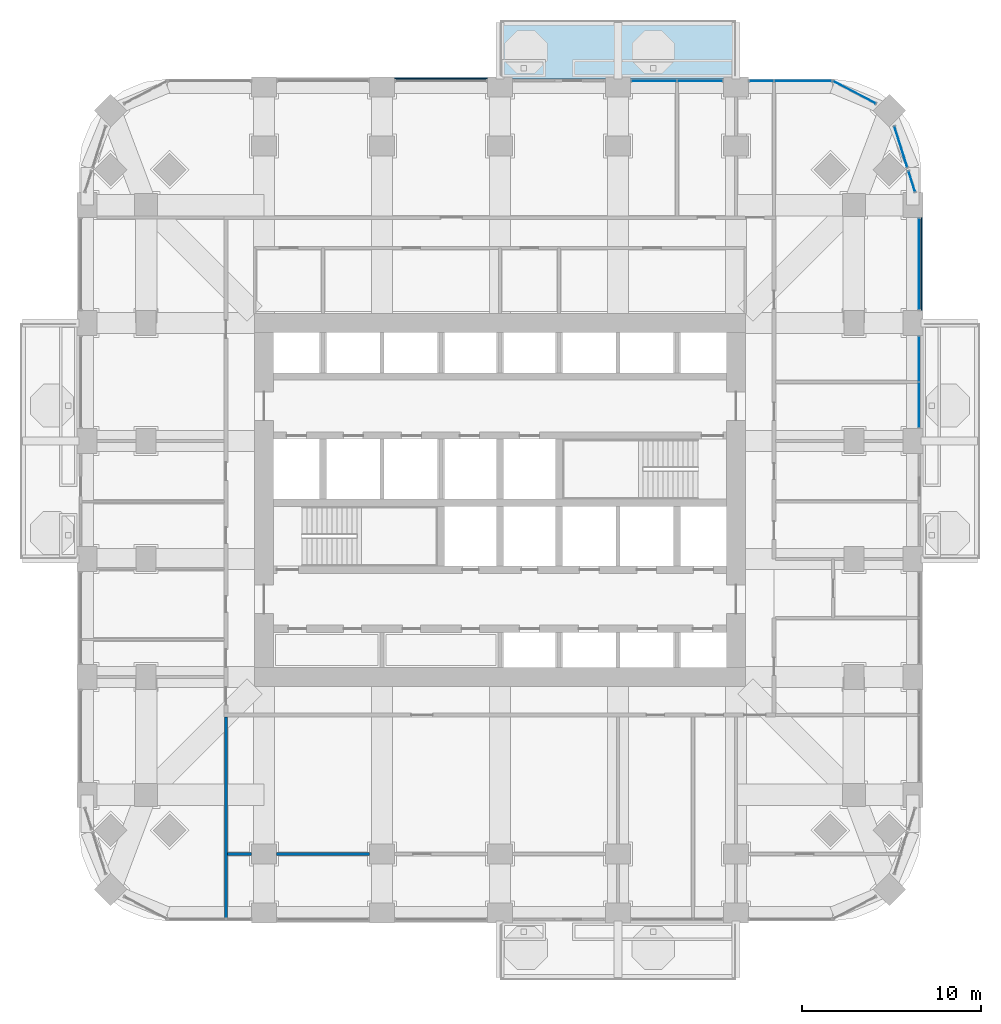
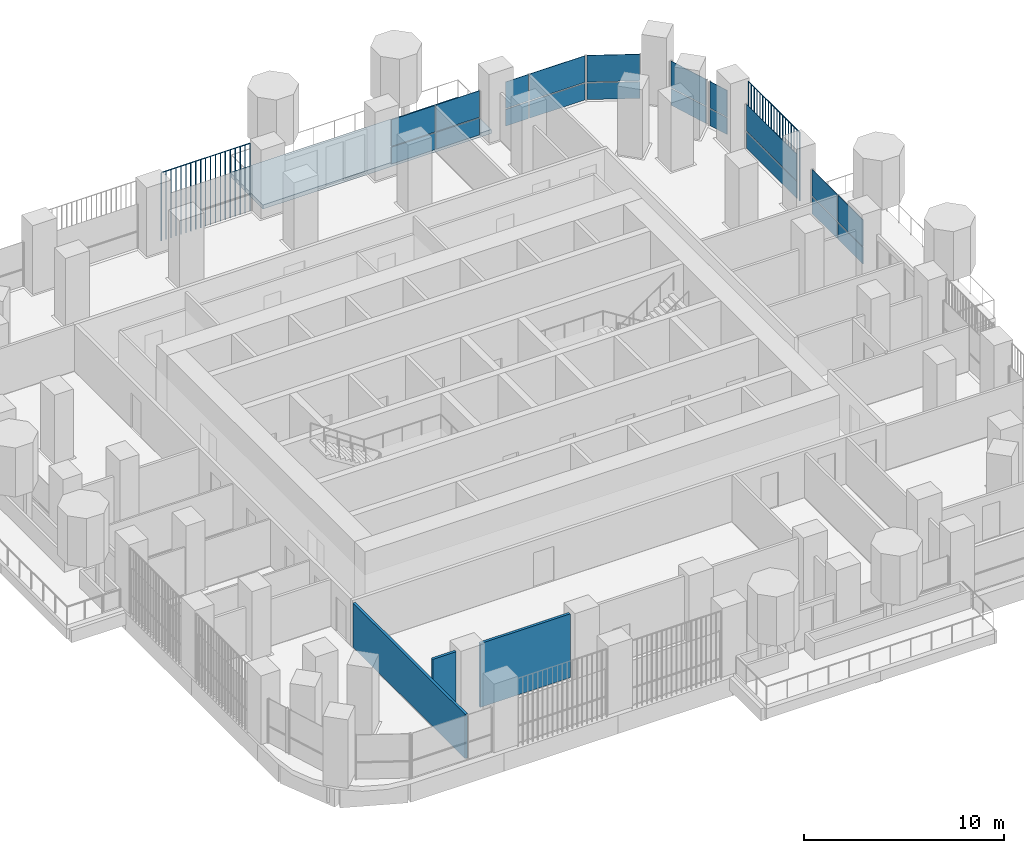
# One storey, part 13 of 22: 22 plates, 3 walls, 1 slab, 7 elements without a shape of their own.
"""IFC4 building model written with IfcOpenShell, lengths in metres."""

from ifc_helpers import new_model, si_unit, direction, frame, frame_2d, origin, origin_2d, place, context, subcontext, project, spatial, polyline, rectangle, outline, extrude, material, layer, layer_set, type_object, element, aggregate, save


model = new_model("IFC4")

# Units and contexts
model_context = context("Model", 3, precision=1e-05, world=origin(), true_north=direction((0.0, 1.0)))
body_context = subcontext(model_context, "Body", "Model", "MODEL_VIEW")
ifc_project = project(units=[si_unit("LENGTHUNIT", "METRE"), si_unit("AREAUNIT", "SQUARE_METRE"), si_unit("VOLUMEUNIT", "CUBIC_METRE"), si_unit("PLANEANGLEUNIT", "RADIAN"), si_unit("MASSUNIT", "GRAM", prefix="KILO")], contexts=[model_context])

# Site, building, storey
site_placement = place(None, origin())
site = spatial("IfcSite", under=ifc_project, at=site_placement, CompositionType="ELEMENT")
building_placement = place(site_placement, origin())
building = spatial("IfcBuilding", under=site, at=building_placement, Name="Cobogo Forest Laboratory Tower", CompositionType="ELEMENT")
storey_placement = place(building_placement, frame((0.0, 0.0, 120.0)))
storey = spatial("IfcBuildingStorey", under=building, at=storey_placement, Name="L27", CompositionType="ELEMENT", Elevation=120.0)

# Slab
ifc_material_1 = material(Name="Concrete HA-40 (C40/50)", Category="concrete")
ifc_layer_1 = layer(ifc_material_1, 0.25)
ifc_layer_set_1 = layer_set([ifc_layer_1], Name="Balcony slab 250")
slab_type = type_object("IfcSlabType", Name="Balcony slab 250", PredefinedType="FLOOR", material=ifc_layer_set_1)
slab_placement = place(storey_placement, frame((0.0, 0.0, -0.25)))
element("IfcSlab", 1, at=slab_placement, inside=storey, type_object=slab_type, Name="Balcony BAL-N1 L27", PredefinedType="FLOOR", context=body_context, shape_type="SweptSolid", body=[
    extrude(outline(polyline([(26.39990234375, 46.64990234375), (39.60009765625, 46.64990234375), (39.60009765625, 49.949951171875), (26.39990234375, 49.949951171875), (26.39990234375, 46.64990234375)])), origin(), (0.0, 0.0, 1.0), 0.25),
])

# Curtain wall, plates
ifc_material_2 = material(Name="Aluminium curtain wall", Category="aluminium")
curtain_wall_type = type_object("IfcCurtainWallType", Name="CW-1 unitised curtain wall, clear glazing, laboratory floors zones A and B", PredefinedType="USERDEFINED", material=ifc_material_2)
curtain_wall_1_placement = place(storey_placement, origin())
curtain_wall_1 = element("IfcCurtainWall", 2, at=curtain_wall_1_placement, inside=storey, type_object=curtain_wall_type, Name="Curtain wall 13 L27", ObjectType="UNITISED CURTAIN WALL", PredefinedType="USERDEFINED")
ifc_material_3 = material(Name="Clear insulated glass", Category="glass")
ifc_layer_2 = layer(ifc_material_3, 0.028076171875)
ifc_layer_set_2 = layer_set([ifc_layer_2], Name="GP-1 clear insulated glass unit 28")
plate_type_1 = type_object("IfcPlateType", Name="GP-1 clear insulated glass unit 28", PredefinedType="CURTAIN_PANEL", material=ifc_layer_set_2)
plate_1_placement = place(storey_placement, frame((49.85009765625, 28.4150390625, 0.0), z_axis=(0.0, 0.0, 1.0), x_axis=(0.0, 1.0, 0.0)))
plate_1 = element("IfcPlate", 3, at=plate_1_placement, type_object=plate_type_1, Name="CW-1 panel 1.1", PredefinedType="CURTAIN_PANEL", context=body_context, shape_type="SweptSolid", body=[
    extrude(rectangle(XDim=2.510009765625, YDim=0.028076171875, at=origin_2d()), origin(), (0.0, 0.0, 1.0), 1.02001953125),
])
plate_2_placement = place(storey_placement, frame((49.85009765625, 28.4150390625, 1.079833984375), z_axis=(0.0, 0.0, 1.0), x_axis=(0.0, 1.0, 0.0)))
plate_2 = element("IfcPlate", 4, at=plate_2_placement, type_object=plate_type_1, Name="CW-1 panel 1.2", PredefinedType="CURTAIN_PANEL", context=body_context, shape_type="SweptSolid", body=[
    extrude(rectangle(XDim=2.510009765625, YDim=0.028076171875, at=origin_2d()), origin(), (0.0, 0.0, 1.0), 1.6201171875),
])
plate_3_placement = place(storey_placement, frame((49.85009765625, 30.985107421875, 0.0), z_axis=(0.0, 0.0, 1.0), x_axis=(0.0, 1.0, 0.0)))
plate_3 = element("IfcPlate", 5, at=plate_3_placement, type_object=plate_type_1, Name="CW-1 panel 2.1", PredefinedType="CURTAIN_PANEL", context=body_context, shape_type="SweptSolid", body=[
    extrude(rectangle(XDim=2.510009765625, YDim=0.028076171875, at=origin_2d()), origin(), (0.0, 0.0, 1.0), 1.02001953125),
])
plate_4_placement = place(storey_placement, frame((49.85009765625, 30.985107421875, 1.079833984375), z_axis=(0.0, 0.0, 1.0), x_axis=(0.0, 1.0, 0.0)))
plate_4 = element("IfcPlate", 6, at=plate_4_placement, type_object=plate_type_1, Name="CW-1 panel 2.2", PredefinedType="CURTAIN_PANEL", context=body_context, shape_type="SweptSolid", body=[
    extrude(rectangle(XDim=2.510009765625, YDim=0.028076171875, at=origin_2d()), origin(), (0.0, 0.0, 1.0), 1.6201171875),
])
aggregate(curtain_wall_1, [plate_1, plate_2, plate_3, plate_4])

curtain_wall_2_placement = place(storey_placement, origin())
curtain_wall_2 = element("IfcCurtainWall", 7, at=curtain_wall_2_placement, inside=storey, type_object=curtain_wall_type, Name="Curtain wall 14 L27", ObjectType="UNITISED CURTAIN WALL", PredefinedType="USERDEFINED")
plate_5_placement = place(storey_placement, frame((49.85009765625, 36.300048828125, 0.0), z_axis=(0.0, 0.0, 1.0), x_axis=(0.0, 1.0, 0.0)))
plate_5 = element("IfcPlate", 8, at=plate_5_placement, type_object=plate_type_1, Name="CW-1 panel 1.1", PredefinedType="CURTAIN_PANEL", context=body_context, shape_type="SweptSolid", body=[
    extrude(rectangle(XDim=5.080078125, YDim=0.028076171875, at=origin_2d()), origin(), (0.0, 0.0, 1.0), 1.02001953125),
])
plate_6_placement = place(storey_placement, frame((49.85009765625, 36.300048828125, 1.079833984375), z_axis=(0.0, 0.0, 1.0), x_axis=(0.0, 1.0, 0.0)))
plate_6 = element("IfcPlate", 9, at=plate_6_placement, type_object=plate_type_1, Name="CW-1 panel 1.2", PredefinedType="CURTAIN_PANEL", context=body_context, shape_type="SweptSolid", body=[
    extrude(rectangle(XDim=5.080078125, YDim=0.028076171875, at=origin_2d()), origin(), (0.0, 0.0, 1.0), 1.6201171875),
])
aggregate(curtain_wall_2, [plate_5, plate_6])

curtain_wall_3_placement = place(storey_placement, origin())
curtain_wall_3 = element("IfcCurtainWall", 10, at=curtain_wall_3_placement, inside=storey, type_object=curtain_wall_type, Name="Curtain wall 15 L27", ObjectType="UNITISED CURTAIN WALL", PredefinedType="USERDEFINED")
plate_7_placement = place(storey_placement, frame((49.433837890625, 40.917724609375, 0.0), z_axis=(0.0, 0.0, 1.0), x_axis=(-0.301135356805, 0.953581405483, 0.0)))
plate_7 = element("IfcPlate", 11, at=plate_7_placement, type_object=plate_type_1, Name="CW-1 panel 1.1", PredefinedType="CURTAIN_PANEL", context=body_context, shape_type="SweptSolid", body=[
    extrude(rectangle(XDim=1.17578125, YDim=0.028076171875, at=origin_2d()), origin(), (0.0, 0.0, 1.0), 1.02001953125),
])
plate_8_placement = place(storey_placement, frame((49.433837890625, 40.917724609375, 1.079833984375), z_axis=(0.0, 0.0, 1.0), x_axis=(-0.301135356805, 0.953581405483, 0.0)))
plate_8 = element("IfcPlate", 12, at=plate_8_placement, type_object=plate_type_1, Name="CW-1 panel 1.2", PredefinedType="CURTAIN_PANEL", context=body_context, shape_type="SweptSolid", body=[
    extrude(rectangle(XDim=1.17578125, YDim=0.028076171875, at=origin_2d()), origin(), (0.0, 0.0, 1.0), 1.6201171875),
])
aggregate(curtain_wall_3, [plate_7, plate_8])

curtain_wall_4_placement = place(storey_placement, origin())
curtain_wall_4 = element("IfcCurtainWall", 13, at=curtain_wall_4_placement, inside=storey, type_object=curtain_wall_type, Name="Curtain wall 16 L27", ObjectType="UNITISED CURTAIN WALL", PredefinedType="USERDEFINED")
plate_9_placement = place(storey_placement, frame((48.8212890625, 42.857421875, 0.0), z_axis=(0.0, 0.0, 1.0), x_axis=(-0.301135291996, 0.953581425949, 0.0)))
plate_9 = element("IfcPlate", 14, at=plate_9_placement, type_object=plate_type_1, Name="CW-1 panel 1.1", PredefinedType="CURTAIN_PANEL", context=body_context, shape_type="SweptSolid", body=[
    extrude(rectangle(XDim=2.3681640625, YDim=0.028076171875, at=origin_2d()), origin(), (0.0, 0.0, 1.0), 1.02001953125),
])
plate_10_placement = place(storey_placement, frame((48.8212890625, 42.857421875, 1.079833984375), z_axis=(0.0, 0.0, 1.0), x_axis=(-0.301135291996, 0.953581425949, 0.0)))
plate_10 = element("IfcPlate", 15, at=plate_10_placement, type_object=plate_type_1, Name="CW-1 panel 1.2", PredefinedType="CURTAIN_PANEL", context=body_context, shape_type="SweptSolid", body=[
    extrude(rectangle(XDim=2.3681640625, YDim=0.028076171875, at=origin_2d()), origin(), (0.0, 0.0, 1.0), 1.6201171875),
])
aggregate(curtain_wall_4, [plate_9, plate_10])

curtain_wall_5_placement = place(storey_placement, origin())
curtain_wall_5 = element("IfcCurtainWall", 16, at=curtain_wall_5_placement, inside=storey, type_object=curtain_wall_type, Name="Curtain wall 17 L27", ObjectType="UNITISED CURTAIN WALL", PredefinedType="USERDEFINED")
plate_11_placement = place(storey_placement, frame((46.229248046875, 45.90576171875, 0.0), z_axis=(0.0, 0.0, 1.0), x_axis=(-0.885686547075, 0.464283685186, 0.0)))
plate_11 = element("IfcPlate", 17, at=plate_11_placement, type_object=plate_type_1, Name="CW-1 panel 1.1", PredefinedType="CURTAIN_PANEL", context=body_context, shape_type="SweptSolid", body=[
    extrude(rectangle(XDim=2.655517578125, YDim=0.028076171875, at=origin_2d()), origin(), (0.0, 0.0, 1.0), 1.02001953125),
])
plate_12_placement = place(storey_placement, frame((46.229248046875, 45.90576171875, 1.079833984375), z_axis=(0.0, 0.0, 1.0), x_axis=(-0.885686547075, 0.464283685186, 0.0)))
plate_12 = element("IfcPlate", 18, at=plate_12_placement, type_object=plate_type_1, Name="CW-1 panel 1.2", PredefinedType="CURTAIN_PANEL", context=body_context, shape_type="SweptSolid", body=[
    extrude(rectangle(XDim=2.655517578125, YDim=0.028076171875, at=origin_2d()), origin(), (0.0, 0.0, 1.0), 1.6201171875),
])
aggregate(curtain_wall_5, [plate_11, plate_12])

curtain_wall_6_placement = place(storey_placement, origin())
curtain_wall_6 = element("IfcCurtainWall", 19, at=curtain_wall_6_placement, inside=storey, type_object=curtain_wall_type, Name="Curtain wall 18 L27", ObjectType="UNITISED CURTAIN WALL", PredefinedType="USERDEFINED")
plate_13_placement = place(storey_placement, frame((43.347412109375, 46.550048828125, 0.0), z_axis=(0.0, 0.0, 1.0), x_axis=(-1.0, 0.0, 0.0)))
plate_13 = element("IfcPlate", 20, at=plate_13_placement, type_object=plate_type_1, Name="CW-1 panel 1.1", PredefinedType="CURTAIN_PANEL", context=body_context, shape_type="SweptSolid", body=[
    extrude(rectangle(XDim=3.18505859375, YDim=0.028076171875, at=origin_2d()), origin(), (0.0, 0.0, 1.0), 1.02001953125),
])
plate_14_placement = place(storey_placement, frame((43.347412109375, 46.550048828125, 1.079833984375), z_axis=(0.0, 0.0, 1.0), x_axis=(-1.0, 0.0, 0.0)))
plate_14 = element("IfcPlate", 21, at=plate_14_placement, type_object=plate_type_1, Name="CW-1 panel 1.2", PredefinedType="CURTAIN_PANEL", context=body_context, shape_type="SweptSolid", body=[
    extrude(rectangle(XDim=3.18505859375, YDim=0.028076171875, at=origin_2d()), origin(), (0.0, 0.0, 1.0), 1.6201171875),
])
plate_15_placement = place(storey_placement, frame((41.027587890625, 46.550048828125, 0.0), z_axis=(0.0, 0.0, 1.0), x_axis=(-1.0, 0.0, 0.0)))
plate_15 = element("IfcPlate", 22, at=plate_15_placement, type_object=plate_type_1, Name="CW-1 panel 2.1", PredefinedType="CURTAIN_PANEL", context=body_context, shape_type="SweptSolid", body=[
    extrude(rectangle(XDim=1.3349609375, YDim=0.028076171875, at=origin_2d()), origin(), (0.0, 0.0, 1.0), 1.02001953125),
])
plate_16_placement = place(storey_placement, frame((41.027587890625, 46.550048828125, 1.079833984375), z_axis=(0.0, 0.0, 1.0), x_axis=(-1.0, 0.0, 0.0)))
plate_16 = element("IfcPlate", 23, at=plate_16_placement, type_object=plate_type_1, Name="CW-1 panel 2.2", PredefinedType="CURTAIN_PANEL", context=body_context, shape_type="SweptSolid", body=[
    extrude(rectangle(XDim=1.3349609375, YDim=0.028076171875, at=origin_2d()), origin(), (0.0, 0.0, 1.0), 1.6201171875),
])
aggregate(curtain_wall_6, [plate_13, plate_14, plate_15, plate_16])

curtain_wall_7_placement = place(storey_placement, origin())
curtain_wall_7 = element("IfcCurtainWall", 24, at=curtain_wall_7_placement, inside=storey, type_object=curtain_wall_type, Name="Curtain wall 19 L27", ObjectType="UNITISED CURTAIN WALL", PredefinedType="USERDEFINED")
plate_17_placement = place(storey_placement, frame((37.5849609375, 46.550048828125, 0.0), z_axis=(0.0, 0.0, 1.0), x_axis=(-1.0, 0.0, 0.0)))
plate_17 = element("IfcPlate", 25, at=plate_17_placement, type_object=plate_type_1, Name="CW-1 panel 1.1", PredefinedType="CURTAIN_PANEL", context=body_context, shape_type="SweptSolid", body=[
    extrude(rectangle(XDim=2.510009765625, YDim=0.028076171875, at=origin_2d()), origin(), (0.0, 0.0, 1.0), 1.02001953125),
])
plate_18_placement = place(storey_placement, frame((37.5849609375, 46.550048828125, 1.079833984375), z_axis=(0.0, 0.0, 1.0), x_axis=(-1.0, 0.0, 0.0)))
plate_18 = element("IfcPlate", 26, at=plate_18_placement, type_object=plate_type_1, Name="CW-1 panel 1.2", PredefinedType="CURTAIN_PANEL", context=body_context, shape_type="SweptSolid", body=[
    extrude(rectangle(XDim=2.510009765625, YDim=0.028076171875, at=origin_2d()), origin(), (0.0, 0.0, 1.0), 1.6201171875),
])
plate_19_placement = place(storey_placement, frame((35.014892578125, 46.550048828125, 0.0), z_axis=(0.0, 0.0, 1.0), x_axis=(-1.0, 0.0, 0.0)))
plate_19 = element("IfcPlate", 27, at=plate_19_placement, type_object=plate_type_1, Name="CW-1 panel 2.1", PredefinedType="CURTAIN_PANEL", context=body_context, shape_type="SweptSolid", body=[
    extrude(rectangle(XDim=2.510009765625, YDim=0.028076171875, at=origin_2d()), origin(), (0.0, 0.0, 1.0), 1.02001953125),
])
plate_20_placement = place(storey_placement, frame((35.014892578125, 46.550048828125, 1.079833984375), z_axis=(0.0, 0.0, 1.0), x_axis=(-1.0, 0.0, 0.0)))
plate_20 = element("IfcPlate", 28, at=plate_20_placement, type_object=plate_type_1, Name="CW-1 panel 2.2", PredefinedType="CURTAIN_PANEL", context=body_context, shape_type="SweptSolid", body=[
    extrude(rectangle(XDim=2.510009765625, YDim=0.028076171875, at=origin_2d()), origin(), (0.0, 0.0, 1.0), 1.6201171875),
])
aggregate(curtain_wall_7, [plate_17, plate_18, plate_19, plate_20])

# Plates
ifc_material_4 = material(Name="Terracotta", Category="masonry")
plate_type_2 = type_object("IfcPlateType", Name="TB1 terracotta baguette screen", PredefinedType="USERDEFINED", material=ifc_material_4)
plate_21_placement = place(storey_placement, frame((49.977783203125, 33.731201171875, -0.14990234375)))
element("IfcPlate", 29, at=plate_21_placement, inside=storey, type_object=plate_type_2, Name="Baguette screen E5 L27", ObjectType="BAGUETTE SCREEN", PredefinedType="USERDEFINED", context=body_context, shape_type="SweptSolid", body=[
    extrude(outline(polyline([(0.02880859375, 0.011962890625), (0.011962890625, 0.02880859375), (-0.011962890625, 0.02880859375), (-0.02880859375, 0.011962890625), (-0.02880859375, -0.011962890625), (-0.011962890625, -0.02880859375), (0.011962890625, -0.02880859375), (0.02880859375, -0.011962890625), (0.02880859375, 0.011962890625)])), frame((0.0, 0.0, 4.168701171875), z_axis=(0.0, 1.0, 0.0), x_axis=(-1.0, 0.0, 0.0)), (0.0, 0.0, 1.0), 5.137451171875),
    extrude(outline(polyline([(0.02880859375, 0.011962890625), (0.011962890625, 0.02880859375), (-0.011962890625, 0.02880859375), (-0.02880859375, 0.011962890625), (-0.02880859375, -0.011962890625), (-0.011962890625, -0.02880859375), (0.011962890625, -0.02880859375), (0.02880859375, -0.011962890625), (0.02880859375, 0.011962890625)])), origin(), (0.0, 0.0, 1.0), 4.137451171875),
    extrude(outline(polyline([(0.02880859375, 0.011962890625), (0.011962890625, 0.02880859375), (-0.011962890625, 0.02880859375), (-0.02880859375, 0.011962890625), (-0.02880859375, -0.011962890625), (-0.011962890625, -0.02880859375), (0.011962890625, -0.02880859375), (0.02880859375, -0.011962890625), (0.02880859375, 0.011962890625)])), frame((0.0, 0.285400390625, 0.0)), (0.0, 0.0, 1.0), 4.137451171875),
    extrude(outline(polyline([(0.02880859375, 0.011962890625), (0.011962890625, 0.02880859375), (-0.011962890625, 0.02880859375), (-0.02880859375, 0.011962890625), (-0.02880859375, -0.011962890625), (-0.011962890625, -0.02880859375), (0.011962890625, -0.02880859375), (0.02880859375, -0.011962890625), (0.02880859375, 0.011962890625)])), frame((0.0, 0.57080078125, 0.0)), (0.0, 0.0, 1.0), 4.137451171875),
    extrude(outline(polyline([(0.02880859375, 0.011962890625), (0.011962890625, 0.02880859375), (-0.011962890625, 0.02880859375), (-0.02880859375, 0.011962890625), (-0.02880859375, -0.011962890625), (-0.011962890625, -0.02880859375), (0.011962890625, -0.02880859375), (0.02880859375, -0.011962890625), (0.02880859375, 0.011962890625)])), frame((0.0, 0.856201171875, 0.0)), (0.0, 0.0, 1.0), 4.137451171875),
    extrude(outline(polyline([(0.02880859375, 0.011962890625), (0.011962890625, 0.02880859375), (-0.011962890625, 0.02880859375), (-0.02880859375, 0.011962890625), (-0.02880859375, -0.011962890625), (-0.011962890625, -0.02880859375), (0.011962890625, -0.02880859375), (0.02880859375, -0.011962890625), (0.02880859375, 0.011962890625)])), frame((0.0, 1.1416015625, 0.0)), (0.0, 0.0, 1.0), 4.137451171875),
    extrude(outline(polyline([(0.02880859375, 0.011962890625), (0.011962890625, 0.02880859375), (-0.011962890625, 0.02880859375), (-0.02880859375, 0.011962890625), (-0.02880859375, -0.011962890625), (-0.011962890625, -0.02880859375), (0.011962890625, -0.02880859375), (0.02880859375, -0.011962890625), (0.02880859375, 0.011962890625)])), frame((0.0, 1.427001953125, 0.0)), (0.0, 0.0, 1.0), 4.137451171875),
    extrude(outline(polyline([(0.02880859375, 0.011962890625), (0.011962890625, 0.02880859375), (-0.011962890625, 0.02880859375), (-0.02880859375, 0.011962890625), (-0.02880859375, -0.011962890625), (-0.011962890625, -0.02880859375), (0.011962890625, -0.02880859375), (0.02880859375, -0.011962890625), (0.02880859375, 0.011962890625)])), frame((0.0, 1.71240234375, 0.0)), (0.0, 0.0, 1.0), 4.137451171875),
    extrude(outline(polyline([(0.02880859375, 0.011962890625), (0.011962890625, 0.02880859375), (-0.011962890625, 0.02880859375), (-0.02880859375, 0.011962890625), (-0.02880859375, -0.011962890625), (-0.011962890625, -0.02880859375), (0.011962890625, -0.02880859375), (0.02880859375, -0.011962890625), (0.02880859375, 0.011962890625)])), frame((0.0, 1.997802734375, 0.0)), (0.0, 0.0, 1.0), 4.137451171875),
    extrude(outline(polyline([(0.02880859375, 0.011962890625), (0.011962890625, 0.02880859375), (-0.011962890625, 0.02880859375), (-0.02880859375, 0.011962890625), (-0.02880859375, -0.011962890625), (-0.011962890625, -0.02880859375), (0.011962890625, -0.02880859375), (0.02880859375, -0.011962890625), (0.02880859375, 0.011962890625)])), frame((0.0, 2.283203125, 0.0)), (0.0, 0.0, 1.0), 4.137451171875),
    extrude(outline(polyline([(0.02880859375, 0.011962890625), (0.011962890625, 0.02880859375), (-0.011962890625, 0.02880859375), (-0.02880859375, 0.011962890625), (-0.02880859375, -0.011962890625), (-0.011962890625, -0.02880859375), (0.011962890625, -0.02880859375), (0.02880859375, -0.011962890625), (0.02880859375, 0.011962890625)])), frame((0.0, 2.56884765625, 0.0)), (0.0, 0.0, 1.0), 4.137451171875),
    extrude(outline(polyline([(0.02880859375, 0.011962890625), (0.011962890625, 0.02880859375), (-0.011962890625, 0.02880859375), (-0.02880859375, 0.011962890625), (-0.02880859375, -0.011962890625), (-0.011962890625, -0.02880859375), (0.011962890625, -0.02880859375), (0.02880859375, -0.011962890625), (0.02880859375, 0.011962890625)])), frame((0.0, 2.854248046875, 0.0)), (0.0, 0.0, 1.0), 4.137451171875),
    extrude(outline(polyline([(0.02880859375, 0.011962890625), (0.011962890625, 0.02880859375), (-0.011962890625, 0.02880859375), (-0.02880859375, 0.011962890625), (-0.02880859375, -0.011962890625), (-0.011962890625, -0.02880859375), (0.011962890625, -0.02880859375), (0.02880859375, -0.011962890625), (0.02880859375, 0.011962890625)])), frame((0.0, 3.1396484375, 0.0)), (0.0, 0.0, 1.0), 4.137451171875),
    extrude(outline(polyline([(0.02880859375, 0.011962890625), (0.011962890625, 0.02880859375), (-0.011962890625, 0.02880859375), (-0.02880859375, 0.011962890625), (-0.02880859375, -0.011962890625), (-0.011962890625, -0.02880859375), (0.011962890625, -0.02880859375), (0.02880859375, -0.011962890625), (0.02880859375, 0.011962890625)])), frame((0.0, 3.425048828125, 0.0)), (0.0, 0.0, 1.0), 4.137451171875),
    extrude(outline(polyline([(0.02880859375, 0.011962890625), (0.011962890625, 0.02880859375), (-0.011962890625, 0.02880859375), (-0.02880859375, 0.011962890625), (-0.02880859375, -0.011962890625), (-0.011962890625, -0.02880859375), (0.011962890625, -0.02880859375), (0.02880859375, -0.011962890625), (0.02880859375, 0.011962890625)])), frame((0.0, 3.71044921875, 0.0)), (0.0, 0.0, 1.0), 4.137451171875),
    extrude(outline(polyline([(0.02880859375, 0.011962890625), (0.011962890625, 0.02880859375), (-0.011962890625, 0.02880859375), (-0.02880859375, 0.011962890625), (-0.02880859375, -0.011962890625), (-0.011962890625, -0.02880859375), (0.011962890625, -0.02880859375), (0.02880859375, -0.011962890625), (0.02880859375, 0.011962890625)])), frame((0.0, 3.995849609375, 0.0)), (0.0, 0.0, 1.0), 4.137451171875),
    extrude(outline(polyline([(0.02880859375, 0.011962890625), (0.011962890625, 0.02880859375), (-0.011962890625, 0.02880859375), (-0.02880859375, 0.011962890625), (-0.02880859375, -0.011962890625), (-0.011962890625, -0.02880859375), (0.011962890625, -0.02880859375), (0.02880859375, -0.011962890625), (0.02880859375, 0.011962890625)])), frame((0.0, 4.28125, 0.0)), (0.0, 0.0, 1.0), 4.137451171875),
    extrude(outline(polyline([(0.02880859375, 0.011962890625), (0.011962890625, 0.02880859375), (-0.011962890625, 0.02880859375), (-0.02880859375, 0.011962890625), (-0.02880859375, -0.011962890625), (-0.011962890625, -0.02880859375), (0.011962890625, -0.02880859375), (0.02880859375, -0.011962890625), (0.02880859375, 0.011962890625)])), frame((0.0, 4.566650390625, 0.0)), (0.0, 0.0, 1.0), 4.137451171875),
    extrude(outline(polyline([(0.02880859375, 0.011962890625), (0.011962890625, 0.02880859375), (-0.011962890625, 0.02880859375), (-0.02880859375, 0.011962890625), (-0.02880859375, -0.011962890625), (-0.011962890625, -0.02880859375), (0.011962890625, -0.02880859375), (0.02880859375, -0.011962890625), (0.02880859375, 0.011962890625)])), frame((0.0, 4.85205078125, 0.0)), (0.0, 0.0, 1.0), 4.137451171875),
    extrude(outline(polyline([(0.02880859375, 0.011962890625), (0.011962890625, 0.02880859375), (-0.011962890625, 0.02880859375), (-0.02880859375, 0.011962890625), (-0.02880859375, -0.011962890625), (-0.011962890625, -0.02880859375), (0.011962890625, -0.02880859375), (0.02880859375, -0.011962890625), (0.02880859375, 0.011962890625)])), frame((0.0, 5.137451171875, 0.0)), (0.0, 0.0, 1.0), 4.137451171875),
])
plate_22_placement = place(storey_placement, frame((20.53125, 46.677978515625, -0.14990234375)))
element("IfcPlate", 30, at=plate_22_placement, inside=storey, type_object=plate_type_2, Name="Baguette screen N2 L27", ObjectType="BAGUETTE SCREEN", PredefinedType="USERDEFINED", context=body_context, shape_type="SweptSolid", body=[
    extrude(outline(polyline([(0.02880859375, 0.011962890625), (0.011962890625, 0.02880859375), (-0.011962890625, 0.02880859375), (-0.02880859375, 0.011962890625), (-0.02880859375, -0.011962890625), (-0.011962890625, -0.02880859375), (0.011962890625, -0.02880859375), (0.02880859375, -0.011962890625), (0.02880859375, 0.011962890625)])), frame((0.0, 0.0, 4.168701171875), z_axis=(1.0, 0.0, 0.0), x_axis=(0.0, 1.0, 0.0)), (0.0, 0.0, 1.0), 5.137451171875),
    extrude(outline(polyline([(0.02880859375, 0.011962890625), (0.011962890625, 0.02880859375), (-0.011962890625, 0.02880859375), (-0.02880859375, 0.011962890625), (-0.02880859375, -0.011962890625), (-0.011962890625, -0.02880859375), (0.011962890625, -0.02880859375), (0.02880859375, -0.011962890625), (0.02880859375, 0.011962890625)])), origin(), (0.0, 0.0, 1.0), 4.137451171875),
    extrude(outline(polyline([(0.02880859375, 0.011962890625), (0.011962890625, 0.02880859375), (-0.011962890625, 0.02880859375), (-0.02880859375, 0.011962890625), (-0.02880859375, -0.011962890625), (-0.011962890625, -0.02880859375), (0.011962890625, -0.02880859375), (0.02880859375, -0.011962890625), (0.02880859375, 0.011962890625)])), frame((0.285400390625, 0.0, 0.0)), (0.0, 0.0, 1.0), 4.137451171875),
    extrude(outline(polyline([(0.02880859375, 0.011962890625), (0.011962890625, 0.02880859375), (-0.011962890625, 0.02880859375), (-0.02880859375, 0.011962890625), (-0.02880859375, -0.011962890625), (-0.011962890625, -0.02880859375), (0.011962890625, -0.02880859375), (0.02880859375, -0.011962890625), (0.02880859375, 0.011962890625)])), frame((0.57080078125, 0.0, 0.0)), (0.0, 0.0, 1.0), 4.137451171875),
    extrude(outline(polyline([(0.02880859375, 0.011962890625), (0.011962890625, 0.02880859375), (-0.011962890625, 0.02880859375), (-0.02880859375, 0.011962890625), (-0.02880859375, -0.011962890625), (-0.011962890625, -0.02880859375), (0.011962890625, -0.02880859375), (0.02880859375, -0.011962890625), (0.02880859375, 0.011962890625)])), frame((0.856201171875, 0.0, 0.0)), (0.0, 0.0, 1.0), 4.137451171875),
    extrude(outline(polyline([(0.02880859375, 0.011962890625), (0.011962890625, 0.02880859375), (-0.011962890625, 0.02880859375), (-0.02880859375, 0.011962890625), (-0.02880859375, -0.011962890625), (-0.011962890625, -0.02880859375), (0.011962890625, -0.02880859375), (0.02880859375, -0.011962890625), (0.02880859375, 0.011962890625)])), frame((1.1416015625, 0.0, 0.0)), (0.0, 0.0, 1.0), 4.137451171875),
    extrude(outline(polyline([(0.02880859375, 0.011962890625), (0.011962890625, 0.02880859375), (-0.011962890625, 0.02880859375), (-0.02880859375, 0.011962890625), (-0.02880859375, -0.011962890625), (-0.011962890625, -0.02880859375), (0.011962890625, -0.02880859375), (0.02880859375, -0.011962890625), (0.02880859375, 0.011962890625)])), frame((1.427001953125, 0.0, 0.0)), (0.0, 0.0, 1.0), 4.137451171875),
    extrude(outline(polyline([(0.02880859375, 0.011962890625), (0.011962890625, 0.02880859375), (-0.011962890625, 0.02880859375), (-0.02880859375, 0.011962890625), (-0.02880859375, -0.011962890625), (-0.011962890625, -0.02880859375), (0.011962890625, -0.02880859375), (0.02880859375, -0.011962890625), (0.02880859375, 0.011962890625)])), frame((1.71240234375, 0.0, 0.0)), (0.0, 0.0, 1.0), 4.137451171875),
    extrude(outline(polyline([(0.02880859375, 0.011962890625), (0.011962890625, 0.02880859375), (-0.011962890625, 0.02880859375), (-0.02880859375, 0.011962890625), (-0.02880859375, -0.011962890625), (-0.011962890625, -0.02880859375), (0.011962890625, -0.02880859375), (0.02880859375, -0.011962890625), (0.02880859375, 0.011962890625)])), frame((1.997802734375, 0.0, 0.0)), (0.0, 0.0, 1.0), 4.137451171875),
    extrude(outline(polyline([(0.02880859375, 0.011962890625), (0.011962890625, 0.02880859375), (-0.011962890625, 0.02880859375), (-0.02880859375, 0.011962890625), (-0.02880859375, -0.011962890625), (-0.011962890625, -0.02880859375), (0.011962890625, -0.02880859375), (0.02880859375, -0.011962890625), (0.02880859375, 0.011962890625)])), frame((2.283203125, 0.0, 0.0)), (0.0, 0.0, 1.0), 4.137451171875),
    extrude(outline(polyline([(0.02880859375, 0.011962890625), (0.011962890625, 0.02880859375), (-0.011962890625, 0.02880859375), (-0.02880859375, 0.011962890625), (-0.02880859375, -0.011962890625), (-0.011962890625, -0.02880859375), (0.011962890625, -0.02880859375), (0.02880859375, -0.011962890625), (0.02880859375, 0.011962890625)])), frame((2.56884765625, 0.0, 0.0)), (0.0, 0.0, 1.0), 4.137451171875),
    extrude(outline(polyline([(0.02880859375, 0.011962890625), (0.011962890625, 0.02880859375), (-0.011962890625, 0.02880859375), (-0.02880859375, 0.011962890625), (-0.02880859375, -0.011962890625), (-0.011962890625, -0.02880859375), (0.011962890625, -0.02880859375), (0.02880859375, -0.011962890625), (0.02880859375, 0.011962890625)])), frame((2.854248046875, 0.0, 0.0)), (0.0, 0.0, 1.0), 4.137451171875),
    extrude(outline(polyline([(0.02880859375, 0.011962890625), (0.011962890625, 0.02880859375), (-0.011962890625, 0.02880859375), (-0.02880859375, 0.011962890625), (-0.02880859375, -0.011962890625), (-0.011962890625, -0.02880859375), (0.011962890625, -0.02880859375), (0.02880859375, -0.011962890625), (0.02880859375, 0.011962890625)])), frame((3.1396484375, 0.0, 0.0)), (0.0, 0.0, 1.0), 4.137451171875),
    extrude(outline(polyline([(0.02880859375, 0.011962890625), (0.011962890625, 0.02880859375), (-0.011962890625, 0.02880859375), (-0.02880859375, 0.011962890625), (-0.02880859375, -0.011962890625), (-0.011962890625, -0.02880859375), (0.011962890625, -0.02880859375), (0.02880859375, -0.011962890625), (0.02880859375, 0.011962890625)])), frame((3.425048828125, 0.0, 0.0)), (0.0, 0.0, 1.0), 4.137451171875),
    extrude(outline(polyline([(0.02880859375, 0.011962890625), (0.011962890625, 0.02880859375), (-0.011962890625, 0.02880859375), (-0.02880859375, 0.011962890625), (-0.02880859375, -0.011962890625), (-0.011962890625, -0.02880859375), (0.011962890625, -0.02880859375), (0.02880859375, -0.011962890625), (0.02880859375, 0.011962890625)])), frame((3.71044921875, 0.0, 0.0)), (0.0, 0.0, 1.0), 4.137451171875),
    extrude(outline(polyline([(0.02880859375, 0.011962890625), (0.011962890625, 0.02880859375), (-0.011962890625, 0.02880859375), (-0.02880859375, 0.011962890625), (-0.02880859375, -0.011962890625), (-0.011962890625, -0.02880859375), (0.011962890625, -0.02880859375), (0.02880859375, -0.011962890625), (0.02880859375, 0.011962890625)])), frame((3.995849609375, 0.0, 0.0)), (0.0, 0.0, 1.0), 4.137451171875),
    extrude(outline(polyline([(0.02880859375, 0.011962890625), (0.011962890625, 0.02880859375), (-0.011962890625, 0.02880859375), (-0.02880859375, 0.011962890625), (-0.02880859375, -0.011962890625), (-0.011962890625, -0.02880859375), (0.011962890625, -0.02880859375), (0.02880859375, -0.011962890625), (0.02880859375, 0.011962890625)])), frame((4.28125, 0.0, 0.0)), (0.0, 0.0, 1.0), 4.137451171875),
    extrude(outline(polyline([(0.02880859375, 0.011962890625), (0.011962890625, 0.02880859375), (-0.011962890625, 0.02880859375), (-0.02880859375, 0.011962890625), (-0.02880859375, -0.011962890625), (-0.011962890625, -0.02880859375), (0.011962890625, -0.02880859375), (0.02880859375, -0.011962890625), (0.02880859375, 0.011962890625)])), frame((4.566650390625, 0.0, 0.0)), (0.0, 0.0, 1.0), 4.137451171875),
    extrude(outline(polyline([(0.02880859375, 0.011962890625), (0.011962890625, 0.02880859375), (-0.011962890625, 0.02880859375), (-0.02880859375, 0.011962890625), (-0.02880859375, -0.011962890625), (-0.011962890625, -0.02880859375), (0.011962890625, -0.02880859375), (0.02880859375, -0.011962890625), (0.02880859375, 0.011962890625)])), frame((4.85205078125, 0.0, 0.0)), (0.0, 0.0, 1.0), 4.137451171875),
    extrude(outline(polyline([(0.02880859375, 0.011962890625), (0.011962890625, 0.02880859375), (-0.011962890625, 0.02880859375), (-0.02880859375, 0.011962890625), (-0.02880859375, -0.011962890625), (-0.011962890625, -0.02880859375), (0.011962890625, -0.02880859375), (0.02880859375, -0.011962890625), (0.02880859375, 0.011962890625)])), frame((5.137451171875, 0.0, 0.0)), (0.0, 0.0, 1.0), 4.137451171875),
])

# Walls
ifc_material_5 = material(Name="Gypsum board on steel studs", Category="steel")
ifc_layer_3 = layer(ifc_material_5, 0.14990234375)
ifc_layer_set_3 = layer_set([ifc_layer_3], Name="PT1 laboratory partition 150")
wall_type = type_object("IfcWallType", Name="PT1 laboratory partition 150", PredefinedType="PARTITIONING", material=ifc_layer_set_3)
wall_1_placement = place(storey_placement, frame((11.074951171875, -0.27001953125, 0.0), z_axis=(0.0, 0.0, 1.0), x_axis=(0.0, 1.0, 0.0)))
element("IfcWall", 31, at=wall_1_placement, inside=storey, type_object=wall_type, Name="Partition PW-SW L27", PredefinedType="PARTITIONING", context=body_context, shape_type="SweptSolid", body=[
    extrude(rectangle(XDim=11.2451171875, YDim=0.14990234375, at=frame_2d((5.62255859375, 0.0))), origin(), (0.0, 0.0, 1.0), 2.699951171875),
])
wall_2_placement = place(storey_placement, frame((11.14990234375, 3.300048828125, 0.0), z_axis=(0.0, 0.0, 1.0), x_axis=(1.0, 0.0, 0.0)))
element("IfcWall", 32, at=wall_2_placement, inside=storey, type_object=wall_type, Name="Partition STRIP-S-1 L27", PredefinedType="PARTITIONING", context=body_context, shape_type="SweptSolid", body=[
    extrude(rectangle(XDim=1.35009765625, YDim=0.14990234375, at=frame_2d((0.675048828125, 0.0))), origin(), (0.0, 0.0, 1.0), 3.89990234375),
])
wall_3_placement = place(storey_placement, frame((13.89990234375, 3.300048828125, 0.0), z_axis=(0.0, 0.0, 1.0), x_axis=(1.0, 0.0, 0.0)))
element("IfcWall", 33, at=wall_3_placement, inside=storey, type_object=wall_type, Name="Partition STRIP-S-2 L27", PredefinedType="PARTITIONING", context=body_context, shape_type="SweptSolid", body=[
    extrude(rectangle(XDim=5.2001953125, YDim=0.14990234375, at=frame_2d((2.60009765625, 0.0))), origin(), (0.0, 0.0, 1.0), 3.89990234375),
])

save(model, "model.ifc")
